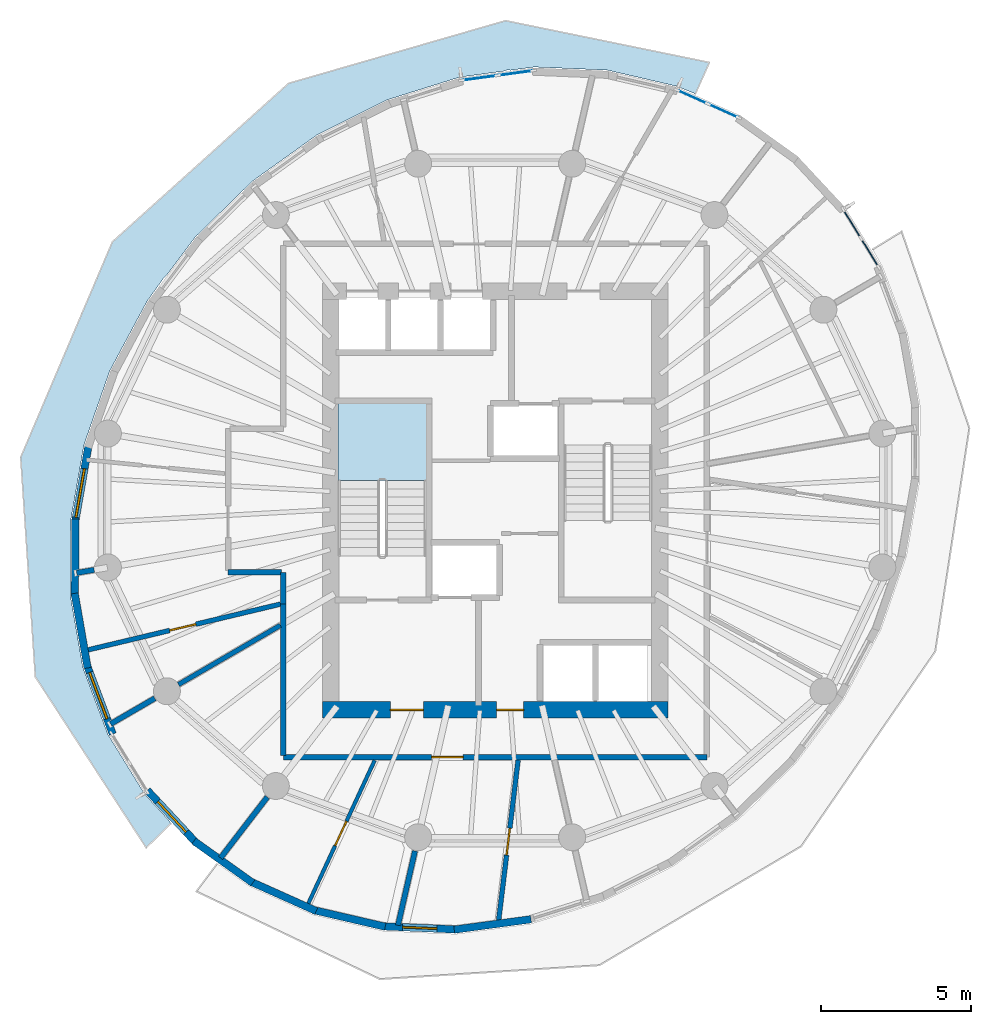
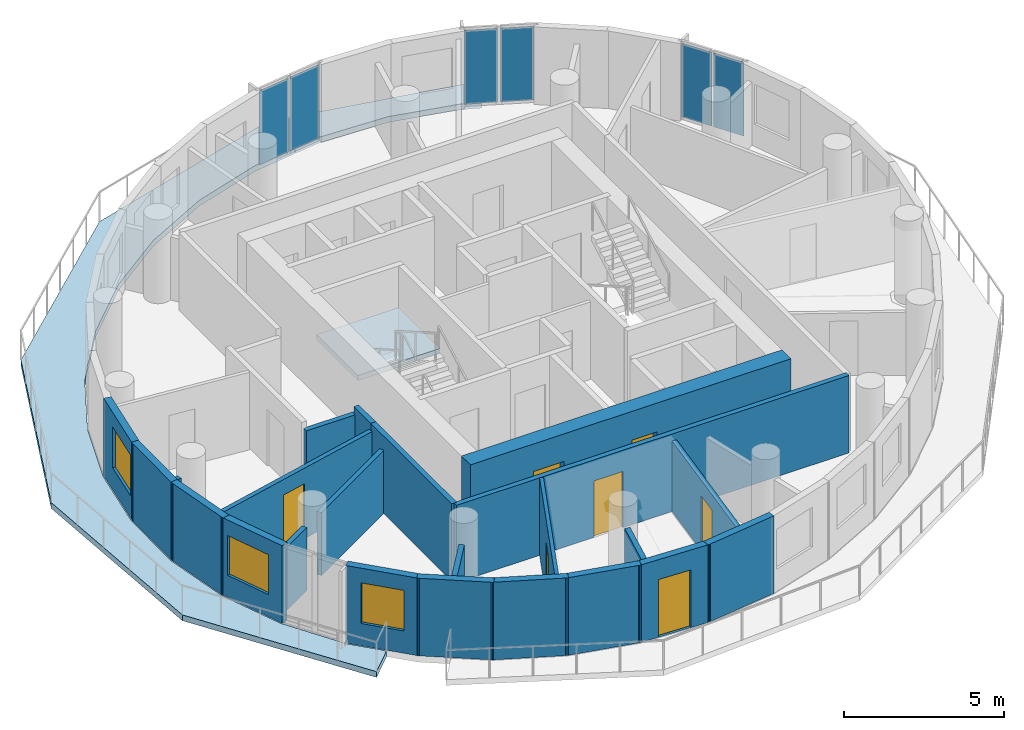
# One storey, part 4 of 10: 23 walls, 7 doors, 6 plates, 3 windows, 2 slabs, 10 openings, 4 elements without a shape of their own.
"""IFC4 building model written with IfcOpenShell, lengths in metres."""

import ifcopenshell
import ifcopenshell.guid

model = None  # the IFC model being written
_history = None  # IfcOwnerHistory: only IFC2X3 demands one
_inside = {}  # id of a spatial element -> (the spatial element, [elements in it])
_under = {}  # id of a project, library or spatial element -> (it, [spatial elements below it])
_declared = {}  # id of a project -> (the project, [libraries it declares])
_typed = {}  # id of a type object -> (the type object, [elements of that type])
_made_of = {}  # id of a material, layer set ... -> (it, [elements and type objects made of it])


def new_model(schema):
    """Start an empty IFC model of exactly this schema.

    Asked for "IFC4X3", IfcOpenShell would pick the latest addendum, in which some entities
    have other attributes; the version numbers below select the first issue.
    IFC2X3 requires an IfcOwnerHistory on every rooted entity: one is made here for all.
    """
    global model, _history
    if schema == "IFC4X3":
        model = ifcopenshell.file(schema_version=(4, 3, 0, 0))
    else:
        model = ifcopenshell.file(schema=schema)
    _inside.clear()
    _under.clear()
    _declared.clear()
    _typed.clear()
    _made_of.clear()
    _history = None
    if model.schema == "IFC2X3":
        org = make("IfcOrganization", Name="unknown")
        user = make(
            "IfcPersonAndOrganization",
            ThePerson=make("IfcPerson", FamilyName="unknown"),
            TheOrganization=org,
        )
        app = make(
            "IfcApplication",
            ApplicationDeveloper=org,
            Version="unknown",
            ApplicationFullName="unknown",
            ApplicationIdentifier="unknown",
        )
        _history = make(
            "IfcOwnerHistory",
            OwningUser=user,
            OwningApplication=app,
            ChangeAction="ADDED",
            CreationDate=0,
        )
    return model


def make(cls, **values):
    """One entity of the class cls with the attributes given. An attribute that is None is left unset."""
    return model.create_entity(
        cls, **{name: value for name, value in values.items() if value is not None}
    )


def rooted(cls, **values):
    """An entity with a GlobalId (a new one), such as an element, a storey or a relation."""
    return make(cls, GlobalId=ifcopenshell.guid.new(), OwnerHistory=_history, **values)


def si_unit(unit_type, name, prefix=None):
    """IfcSIUnit, for example si_unit("LENGTHUNIT", "METRE", prefix="MILLI")."""
    return make("IfcSIUnit", UnitType=unit_type, Prefix=prefix, Name=name)


def assignment(units):
    """IfcUnitAssignment: the units of a project."""
    return None if units is None else make("IfcUnitAssignment", Units=units)


def point(xyz):
    """IfcCartesianPoint."""
    return None if xyz is None else make("IfcCartesianPoint", Coordinates=xyz)


def direction(xyz):
    """IfcDirection."""
    return None if xyz is None else make("IfcDirection", DirectionRatios=xyz)


def frame(location, z_axis=None, x_axis=None):
    """IfcAxis2Placement3D, a coordinate frame: its origin and axes. An axis left out is left unset."""
    return make(
        "IfcAxis2Placement3D",
        Location=point(location),
        Axis=direction(z_axis),
        RefDirection=direction(x_axis),
    )


def frame_2d(location, x_axis=None):
    """IfcAxis2Placement2D, a coordinate frame in the plane: its origin and x axis."""
    return make(
        "IfcAxis2Placement2D", Location=point(location), RefDirection=direction(x_axis)
    )


def origin():
    """The frame at (0, 0, 0) with its axes left unset."""
    return frame((0.0, 0.0, 0.0))


def origin_2d():
    """The frame at (0, 0) in the plane with its x axis left unset."""
    return frame_2d((0.0, 0.0))


def place(relative_to, where):
    """IfcLocalPlacement: puts the frame where relative to a parent placement (None: the world)."""
    return make(
        "IfcLocalPlacement", PlacementRelTo=relative_to, RelativePlacement=where
    )


def context(
    kind, dimensions, precision=None, world=None, true_north=None, identifier=None
):
    """IfcGeometricRepresentationContext, for example the 3D "Model" context."""
    return make(
        "IfcGeometricRepresentationContext",
        ContextIdentifier=identifier,
        ContextType=kind,
        CoordinateSpaceDimension=dimensions,
        Precision=precision,
        WorldCoordinateSystem=world,
        TrueNorth=true_north,
    )


def subcontext(parent, identifier, kind, view, scale=None):
    """IfcGeometricRepresentationSubContext, for example "Body" below "Model"."""
    return make(
        "IfcGeometricRepresentationSubContext",
        ContextIdentifier=identifier,
        ContextType=kind,
        ParentContext=parent,
        TargetScale=scale,
        TargetView=view,
    )


def project(units=None, contexts=None):
    """IfcProject with its units and contexts."""
    return rooted(
        "IfcProject",
        Name="project",
        RepresentationContexts=contexts,
        UnitsInContext=assignment(units),
    )


def spatial(cls, under=None, at=None, **own):
    """A site, building, storey or space (cls), placed at a placement, below another one or the project."""
    s = rooted(cls, ObjectPlacement=at, **own)
    if under is not None:
        _under.setdefault(under.id(), (under, []))[1].append(s)
    return s


def polyline(points):
    """IfcPolyline through the points."""
    return make("IfcPolyline", Points=[point(p) for p in points])


def profile(cls, at=None, kind="AREA", **sizes):
    """A parametric profile (cls). Its sizes go by their IFC names, for example OverallWidth=200.0."""
    return make(cls, ProfileType=kind, Position=at, **sizes)


def rectangle(**sizes):
    """IfcRectangleProfileDef."""
    return profile("IfcRectangleProfileDef", **sizes)


def outline(outer, holes=None, kind="AREA"):
    """IfcArbitraryClosedProfileDef: a profile drawn as a closed curve; with holes, ...WithVoids."""
    if holes is None:
        return make("IfcArbitraryClosedProfileDef", ProfileType=kind, OuterCurve=outer)
    return make(
        "IfcArbitraryProfileDefWithVoids",
        ProfileType=kind,
        OuterCurve=outer,
        InnerCurves=holes,
    )


def extrude(swept, where, along, depth):
    """IfcExtrudedAreaSolid: the profile swept, set in the frame where, extruded along a direction by depth."""
    return make(
        "IfcExtrudedAreaSolid",
        SweptArea=swept,
        Position=where,
        ExtrudedDirection=direction(along),
        Depth=depth,
    )


def shape(context_of_items, identifier, shape_type, items):
    """IfcShapeRepresentation: the items that make up one representation, for example the "Body"."""
    return make(
        "IfcShapeRepresentation",
        ContextOfItems=context_of_items,
        RepresentationIdentifier=identifier,
        RepresentationType=shape_type,
        Items=items,
    )


def material(Name=None, Category=None):
    """IfcMaterial."""
    return make("IfcMaterial", Name=Name, Category=Category)


def layer(
    of_material, thickness, ventilated=None, Name=None, Category=None, Priority=None
):
    """IfcMaterialLayer: one layer of a wall or slab, of a material (None: an air gap)."""
    return make(
        "IfcMaterialLayer",
        Material=of_material,
        LayerThickness=thickness,
        IsVentilated=ventilated,
        Name=Name,
        Category=Category,
        Priority=Priority,
    )


def layer_set(layers, Name=None):
    """IfcMaterialLayerSet."""
    return make("IfcMaterialLayerSet", MaterialLayers=layers, LayerSetName=Name)


def made_of(thing, what):
    """Note that an element or type object is made of a material, layer set ...; save() writes the relation."""
    if what is not None:
        _made_of.setdefault(what.id(), (what, []))[1].append(thing)
    return thing


def type_object(cls, material=None, **own):
    """A type object (cls), such as IfcWallType, which elements share."""
    return made_of(rooted(cls, **own), material)


def element(
    cls,
    number,
    at=None,
    inside=None,
    cuts=None,
    type_object=None,
    material=None,
    context=None,
    identifier="Body",
    shape_type=None,
    held_by="IfcProductDefinitionShape",
    body=None,
    shapes=None,
    **own,
):
    """One element of the class cls, such as IfcWall. Its Tag is "e" and its number.

    at: its placement. inside: the storey or other place that contains it. cuts: it is an
    opening in that element (IfcRelVoidsElement). A single representation is given by context,
    identifier, shape_type and body (its items); several are given by shapes. held_by: the class
    of the entity that holds the representations. save() writes the other relations.
    """
    e = rooted(cls, Tag="e%d" % number, ObjectPlacement=at, **own)
    if body is not None:
        shapes = [shape(context, identifier, shape_type, body)]
    if shapes is not None:
        e.Representation = make(held_by, Representations=shapes)
    if inside is not None:
        _inside.setdefault(inside.id(), (inside, []))[1].append(e)
    if cuts is not None:
        rooted(
            "IfcRelVoidsElement", RelatingBuildingElement=cuts, RelatedOpeningElement=e
        )
    if type_object is not None:
        _typed.setdefault(type_object.id(), (type_object, []))[1].append(e)
    return made_of(e, material)


def fill(opening, filler):
    """IfcRelFillsElement: the door or window that sits in an opening."""
    return rooted(
        "IfcRelFillsElement",
        RelatingOpeningElement=opening,
        RelatedBuildingElement=filler,
    )


def aggregate(whole, parts):
    """IfcRelAggregates: a whole, such as a stair, and the parts it consists of."""
    return rooted("IfcRelAggregates", RelatingObject=whole, RelatedObjects=parts)


def save(model, path):
    """Write the relations noted so far, then the file.

    IfcRelAggregates (storeys below a building ...), IfcRelContainedInSpatialStructure (elements
    in a storey), IfcRelDefinesByType, IfcRelAssociatesMaterial and IfcRelDeclares: one each for
    every whole, place, type object, material and project.
    """
    for whole, parts in _under.values():
        aggregate(whole, parts)
    for where, things in _inside.values():
        rooted(
            "IfcRelContainedInSpatialStructure",
            RelatedElements=things,
            RelatingStructure=where,
        )
    for kind, things in _typed.values():
        rooted("IfcRelDefinesByType", RelatedObjects=things, RelatingType=kind)
    for what, things in _made_of.values():
        rooted("IfcRelAssociatesMaterial", RelatedObjects=things, RelatingMaterial=what)
    for by, libraries in _declared.values():
        rooted("IfcRelDeclares", RelatingContext=by, RelatedDefinitions=libraries)
    model.write(path)


model = new_model("IFC4")

# Units and contexts
model_context = context("Model", 3, precision=1e-05, world=origin(), true_north=direction((0.0, 1.0)))
body_context = subcontext(model_context, "Body", "Model", "MODEL_VIEW")
ifc_project = project(units=[si_unit("LENGTHUNIT", "METRE"), si_unit("AREAUNIT", "SQUARE_METRE"), si_unit("VOLUMEUNIT", "CUBIC_METRE"), si_unit("PLANEANGLEUNIT", "RADIAN"), si_unit("MASSUNIT", "GRAM", prefix="KILO")], contexts=[model_context])

# Site, building, storey
site_placement = place(None, origin())
site = spatial("IfcSite", under=ifc_project, at=site_placement, CompositionType="ELEMENT")
building_placement = place(site_placement, origin())
building = spatial("IfcBuilding", under=site, at=building_placement, Name="Veldorim Arch Residences", CompositionType="ELEMENT")
storey_placement = place(building_placement, frame((0.0, 0.0, 201.43994140625)))
storey = spatial("IfcBuildingStorey", under=building, at=storey_placement, Name="L60", CompositionType="ELEMENT", Elevation=201.43994140625)

# Slab
ifc_material_1 = material(Name="Concrete C40/50", Category="concrete")
ifc_layer_1 = layer(ifc_material_1, 0.219970703125, Name="Planted Crescent Cantilever Balcony Slab 220")
ifc_layer_set_1 = layer_set([ifc_layer_1], Name="Concrete C40/50")
slab_type_1 = type_object("IfcSlabType", Name="Planted Crescent Cantilever Balcony Slab 220", PredefinedType="FLOOR", material=ifc_layer_set_1)
slab_1_placement = place(storey_placement, frame((0.0, 0.0, -0.219970703125)))
element("IfcSlab", 1, at=slab_1_placement, inside=storey, type_object=slab_type_1, Name="L60 planted crescent balcony slab A", PredefinedType="FLOOR", context=body_context, shape_type="SweptSolid", body=[
    extrude(outline(polyline([(38.6943359375, 37.596923828125), (38.08203125, 37.847900390625), (35.75146484375, 38.38916015625), (33.30712890625, 38.4931640625), (32.510986328125, 38.38525390625), (32.41552734375, 38.3974609375), (32.296142578125, 38.356201171875), (30.8232421875, 38.156494140625), (28.37548828125, 37.39013671875), (26.03759765625, 36.216796875), (23.881103515625, 34.672607421875), (21.97119140625, 32.80419921875), (21.01513671875, 31.5322265625), (20.925537109375, 31.44921875), (20.365966796875, 30.66845703125), (19.114013671875, 28.330078125), (18.25341796875, 25.860107421875), (17.810302734375, 23.33349609375), (17.798095703125, 20.8271484375), (18.2177734375, 18.416748046875), (19.05615234375, 16.176025390625), (20.2880859375, 14.1728515625), (21.091552734375, 13.310546875), (21.154541015625, 13.1953125), (20.331787109375, 12.391845703125), (16.625, 18.103515625), (16.1357421875, 25.444091796875), (19.202880859375, 32.650146484375), (25.09033203125, 37.9462890625), (32.3486328125, 40.043701171875), (39.163330078125, 38.64697265625), (38.6943359375, 37.596923828125)])), origin(), (0.0, 0.0, 1.0), 0.219970703125),
])

# Stair, slab
ifc_material_2 = material(Name="Concrete C40/50", Category="concrete")
stair_type = type_object("IfcStairType", Name="Reinforced Concrete Dogleg Exit Staircase", PredefinedType="HALF_TURN_STAIR", material=ifc_material_2)
stair_placement = place(storey_placement, origin())
stair = element("IfcStair", 2, at=stair_placement, inside=storey, type_object=stair_type, Name="L60 Exit Staircase ST-1", PredefinedType="HALF_TURN_STAIR")
ifc_material_3 = material(Name="Concrete C40/50", Category="concrete")
ifc_layer_2 = layer(ifc_material_3, 0.199951171875, Name="Reinforced Concrete Stair Landing 200")
ifc_layer_set_2 = layer_set([ifc_layer_2], Name="Concrete C40/50")
slab_type_2 = type_object("IfcSlabType", Name="Reinforced Concrete Stair Landing 200", PredefinedType="LANDING", material=ifc_layer_set_2)
slab_2_placement = place(storey_placement, frame((0.0, 0.0, 1.400146484375)))
slab_2 = element("IfcSlab", 3, at=slab_2_placement, type_object=slab_type_2, Name="ST-1 landing 1", PredefinedType="LANDING", context=body_context, shape_type="SweptSolid", body=[
    extrude(outline(polyline([(29.7099609375, 24.669921875), (29.7099609375, 27.25), (26.75, 27.25), (26.75, 24.669921875), (29.7099609375, 24.669921875)])), origin(), (0.0, 0.0, 1.0), 0.199951171875),
])
aggregate(stair, [slab_2])

# Curtain wall, plates
ifc_material_4 = material(Name="Aluminium", Category="aluminium")
curtain_wall_type = type_object("IfcCurtainWallType", Name="Zone 4 High-Altitude Unitised Curtain Wall", PredefinedType="NOTDEFINED", material=ifc_material_4)
curtain_wall_1_placement = place(storey_placement, origin())
curtain_wall_1 = element("IfcCurtainWall", 4, at=curtain_wall_1_placement, inside=storey, type_object=curtain_wall_type, Name="L60 unitised curtain wall bay 02", PredefinedType="NOTDEFINED")
ifc_material_5 = material(Name="Laminated Low-E Glass", Category="glass")
ifc_layer_3 = layer(ifc_material_5, 0.030029296875, Name="Zone 4 High-Altitude Unitised Curtain Wall Glazing Panel 30")
ifc_layer_set_3 = layer_set([ifc_layer_3], Name="Laminated Low-E Glass")
plate_type = type_object("IfcPlateType", Name="Zone 4 High-Altitude Unitised Curtain Wall Glazing Panel 30", PredefinedType="CURTAIN_PANEL", material=ifc_layer_set_3)
plate_1_placement = place(storey_placement, frame((38.58984375, 37.494384765625, 0.074951171875), z_axis=(0.0, 0.0, 1.0), x_axis=(0.912467637133, -0.409148886329, 0.0)))
plate_1 = element("IfcPlate", 5, at=plate_1_placement, type_object=plate_type, Name="CW-Z4 panel 1.1", PredefinedType="CURTAIN_PANEL", context=body_context, shape_type="SweptSolid", body=[
    extrude(rectangle(XDim=1.060791015625, YDim=0.030029296875, at=origin_2d()), origin(), (0.0, 0.0, 1.0), 2.81005859375),
])
plate_2_placement = place(storey_placement, frame((39.626220703125, 37.029541015625, 0.074951171875), z_axis=(0.0, 0.0, 1.0), x_axis=(0.912467637133, -0.409148886329, 0.0)))
plate_2 = element("IfcPlate", 6, at=plate_2_placement, type_object=plate_type, Name="CW-Z4 panel 2.1", PredefinedType="CURTAIN_PANEL", context=body_context, shape_type="SweptSolid", body=[
    extrude(rectangle(XDim=1.060791015625, YDim=0.030029296875, at=origin_2d()), origin(), (0.0, 0.0, 1.0), 2.81005859375),
])
aggregate(curtain_wall_1, [plate_1, plate_2])

curtain_wall_2_placement = place(storey_placement, origin())
curtain_wall_2 = element("IfcCurtainWall", 7, at=curtain_wall_2_placement, inside=storey, type_object=curtain_wall_type, Name="L60 unitised curtain wall bay 05", PredefinedType="NOTDEFINED")
plate_3_placement = place(storey_placement, frame((31.479248046875, 38.12939453125, 0.074951171875), z_axis=(0.0, 0.0, 1.0), x_axis=(0.990948225119, 0.134244609331, 0.0)))
plate_3 = element("IfcPlate", 8, at=plate_3_placement, type_object=plate_type, Name="CW-Z4 panel 1.1", PredefinedType="CURTAIN_PANEL", context=body_context, shape_type="SweptSolid", body=[
    extrude(rectangle(XDim=1.138671875, YDim=0.030029296875, at=origin_2d()), origin(), (0.0, 0.0, 1.0), 2.81005859375),
])
plate_4_placement = place(storey_placement, frame((32.681884765625, 38.292236328125, 0.074951171875), z_axis=(0.0, 0.0, 1.0), x_axis=(0.990948225119, 0.134244609331, 0.0)))
plate_4 = element("IfcPlate", 9, at=plate_4_placement, type_object=plate_type, Name="CW-Z4 panel 2.1", PredefinedType="CURTAIN_PANEL", context=body_context, shape_type="SweptSolid", body=[
    extrude(rectangle(XDim=1.138671875, YDim=0.030029296875, at=origin_2d()), origin(), (0.0, 0.0, 1.0), 2.81005859375),
])
aggregate(curtain_wall_2, [plate_3, plate_4])

curtain_wall_3_placement = place(storey_placement, origin())
curtain_wall_3 = element("IfcCurtainWall", 10, at=curtain_wall_3_placement, inside=storey, type_object=curtain_wall_type, Name="L60 unitised curtain wall bay 35", PredefinedType="NOTDEFINED")
plate_5_placement = place(storey_placement, frame((43.932373046875, 33.249267578125, 0.074951171875), z_axis=(0.0, 0.0, 1.0), x_axis=(0.523864415023, -0.851801663929, 0.0)))
plate_5 = element("IfcPlate", 11, at=plate_5_placement, type_object=plate_type, Name="CW-Z4 panel 1.1", PredefinedType="CURTAIN_PANEL", context=body_context, shape_type="SweptSolid", body=[
    extrude(rectangle(XDim=1.060791015625, YDim=0.030029296875, at=origin_2d()), origin(), (0.0, 0.0, 1.0), 2.81005859375),
])
plate_6_placement = place(storey_placement, frame((44.52734375, 32.28173828125, 0.074951171875), z_axis=(0.0, 0.0, 1.0), x_axis=(0.523864415023, -0.851801663929, 0.0)))
plate_6 = element("IfcPlate", 12, at=plate_6_placement, type_object=plate_type, Name="CW-Z4 panel 2.1", PredefinedType="CURTAIN_PANEL", context=body_context, shape_type="SweptSolid", body=[
    extrude(rectangle(XDim=1.060791015625, YDim=0.030029296875, at=origin_2d()), origin(), (0.0, 0.0, 1.0), 2.81005859375),
])
aggregate(curtain_wall_3, [plate_5, plate_6])

# Wall, opening, door
ifc_material_6 = material(Name="Acoustic Gypsum Board", Category="gypsum")
ifc_layer_4 = layer(ifc_material_6, 0.125, Name="Acoustic Stud Room Partition Wall 125")
ifc_layer_set_4 = layer_set([ifc_layer_4], Name="Acoustic Gypsum Board")
wall_type_1 = type_object("IfcWallType", Name="Acoustic Stud Room Partition Wall 125", PredefinedType="PARTITIONING", material=ifc_layer_set_4)
wall_1_placement = place(storey_placement, frame((25.70751953125, 10.427001953125, 0.0), z_axis=(0.0, 0.0, 1.0), x_axis=(0.420587579127, 0.907251943114, 0.0)))
wall_1 = element("IfcWall", 13, at=wall_1_placement, inside=storey, type_object=wall_type_1, Name="L60 interior wall WL-RES-L60-012", PredefinedType="PARTITIONING", context=body_context, shape_type="SweptSolid", body=[
    extrude(rectangle(XDim=5.38330078125, YDim=0.125, at=frame_2d((2.691650390625, 0.0))), origin(), (0.0, 0.0, 1.0), 2.955078125),
])
opening_1_placement = place(wall_1_placement, frame((2.24169921875, 0.0, 0.0)))
opening_1 = element("IfcOpeningElement", 14, at=opening_1_placement, cuts=wall_1, Name="Opening DR-INT", PredefinedType="OPENING", context=body_context, shape_type="SweptSolid", body=[
    extrude(rectangle(XDim=0.89990234375, YDim=2.10009765625, at=frame_2d((0.449951171875, 1.050048828125))), frame((0.0, 0.072509765625, 0.0), z_axis=(0.0, -1.0, 0.0), x_axis=(1.0, 0.0, 0.0)), (0.0, 0.0, 1.0), 0.14501953125),
])
ifc_material_7 = material(Name="Engineered Timber", Category="wood")
door_type_1 = type_object("IfcDoorType", Name="Apartment Internal Room Timber Door 900x2100", OperationType="SINGLE_SWING_LEFT", PredefinedType="DOOR", material=ifc_material_7)
door_1_placement = place(opening_1_placement, origin())
door_1 = element("IfcDoor", 15, at=door_1_placement, inside=storey, type_object=door_type_1, Name="L60 interior door DR-RES-L60-003", OperationType="SINGLE_SWING_LEFT", OverallHeight=2.10009765625, OverallWidth=0.89990234375, PredefinedType="DOOR", context=body_context, shape_type="SweptSolid", body=[
    extrude(rectangle(XDim=0.89990234375, YDim=2.10009765625, at=frame_2d((0.449951171875, 1.050048828125))), frame((0.0, 0.02490234375, 0.0), z_axis=(0.0, -1.0, 0.0), x_axis=(1.0, 0.0, 0.0)), (0.0, 0.0, 1.0), 0.050048828125),
])
fill(opening_1, door_1)

# Walls
ifc_material_8 = material(Name="Lightweight Masonry Block & Gypsum", Category="masonry")
ifc_layer_5 = layer(ifc_material_8, 0.179931640625, Name="Compartment & Corridor Fire-Rated Party Wall 180")
ifc_layer_set_5 = layer_set([ifc_layer_5], Name="Lightweight Masonry Block & Gypsum")
wall_type_2 = type_object("IfcWallType", Name="Compartment & Corridor Fire-Rated Party Wall 180", PredefinedType="PARTITIONING", material=ifc_layer_set_5)
wall_2_placement = place(storey_placement, frame((18.590576171875, 21.680419921875, 0.0), z_axis=(0.0, 0.0, 1.0), x_axis=(-0.985338517658, -0.170610684362, 0.0)))
element("IfcWall", 16, at=wall_2_placement, inside=storey, type_object=wall_type_2, Name="L60 interior wall WL-PIER-L60-09", PredefinedType="PARTITIONING", context=body_context, shape_type="SweptSolid", body=[
    extrude(rectangle(XDim=0.592529296875, YDim=0.179931640625, at=frame_2d((0.29638671875, 0.0))), origin(), (0.0, 0.0, 1.0), 2.403564453125),
])
wall_3_placement = place(storey_placement, frame((20.6181640625, 17.385986328125, 0.0), z_axis=(0.0, 0.0, 1.0), x_axis=(-0.864618511529, -0.502428929821, 0.0)))
element("IfcWall", 17, at=wall_3_placement, inside=storey, type_object=wall_type_2, Name="L60 interior wall WL-PIER-L60-10", PredefinedType="PARTITIONING", context=body_context, shape_type="SweptSolid", body=[
    extrude(rectangle(XDim=1.7060546875, YDim=0.179931640625, at=frame_2d((0.85302734375, 0.0))), origin(), (0.0, 0.0, 1.0), 2.403564453125),
])
wall_4_placement = place(storey_placement, frame((24.380126953125, 14.08203125, 0.0), z_axis=(0.0, 0.0, 1.0), x_axis=(-0.60921849036, -0.79300241551, 0.0)))
element("IfcWall", 18, at=wall_4_placement, inside=storey, type_object=wall_type_2, Name="L60 interior wall WL-PIER-L60-11", PredefinedType="PARTITIONING", context=body_context, shape_type="SweptSolid", body=[
    extrude(rectangle(XDim=2.565185546875, YDim=0.179931640625, at=frame_2d((1.28271484375, 0.0))), origin(), (0.0, 0.0, 1.0), 2.403564453125),
])
wall_5_placement = place(storey_placement, frame((29.320068359375, 12.282470703125, 0.0), z_axis=(0.0, 0.0, 1.0), x_axis=(-0.22299363946, -0.974819899654, 0.0)))
element("IfcWall", 19, at=wall_5_placement, inside=storey, type_object=wall_type_2, Name="L60 interior wall WL-PIER-L60-12", PredefinedType="PARTITIONING", context=body_context, shape_type="SweptSolid", body=[
    extrude(rectangle(XDim=2.552001953125, YDim=0.179931640625, at=frame_2d((1.27587890625, 0.0))), origin(), (0.0, 0.0, 1.0), 2.403564453125),
])

# Wall, opening, door
wall_6_placement = place(storey_placement, frame((39.080078125, 15.419921875, 0.0), z_axis=(0.0, 0.0, 1.0), x_axis=(-1.0, 0.0, 0.0)))
wall_6 = element("IfcWall", 20, at=wall_6_placement, inside=storey, type_object=wall_type_2, Name="L60 interior wall WL-RES-L60-001", PredefinedType="PARTITIONING", context=body_context, shape_type="SweptSolid", body=[
    extrude(rectangle(XDim=14.16015625, YDim=0.179931640625, at=frame_2d((7.080078125, 0.0))), origin(), (0.0, 0.0, 1.0), 2.955078125),
])
opening_2_placement = place(wall_6_placement, frame((8.155029296875, 0.0, 0.0)))
opening_2 = element("IfcOpeningElement", 21, at=opening_2_placement, cuts=wall_6, Name="Opening DR-FLT", PredefinedType="OPENING", context=body_context, shape_type="SweptSolid", body=[
    extrude(rectangle(XDim=1.050048828125, YDim=2.14990234375, at=frame_2d((0.52490234375, 1.074951171875))), frame((0.0, 0.099853515625, 0.0), z_axis=(0.0, -1.0, 0.0), x_axis=(1.0, 0.0, 0.0)), (0.0, 0.0, 1.0), 0.199951171875),
])
ifc_material_9 = material(Name="Fire-Rated Timber", Category="wood")
door_type_2 = type_object("IfcDoorType", Name="Apartment Entrance Solid-Core Fire Door 1050x2150", OperationType="SINGLE_SWING_LEFT", PredefinedType="DOOR", material=ifc_material_9)
door_2_placement = place(opening_2_placement, origin())
door_2 = element("IfcDoor", 22, at=door_2_placement, inside=storey, type_object=door_type_2, Name="L60 interior door DR-RES-L60-001", OperationType="SINGLE_SWING_LEFT", OverallHeight=2.14990234375, OverallWidth=1.050048828125, PredefinedType="DOOR", context=body_context, shape_type="SweptSolid", body=[
    extrude(rectangle(XDim=1.050048828125, YDim=2.14990234375, at=frame_2d((0.52490234375, 1.074951171875))), frame((0.0, 0.02490234375, 0.0), z_axis=(0.0, -1.0, 0.0), x_axis=(1.0, 0.0, 0.0)), (0.0, 0.0, 1.0), 0.050048828125),
])
fill(opening_2, door_2)

# Walls
wall_7_placement = place(storey_placement, frame((24.919921875, 15.47998046875, 0.0), z_axis=(0.0, 0.0, 1.0), x_axis=(0.0, 1.0, 0.0)))
element("IfcWall", 23, at=wall_7_placement, inside=storey, type_object=wall_type_2, Name="L60 interior wall WL-RES-L60-002", PredefinedType="PARTITIONING", context=body_context, shape_type="SweptSolid", body=[
    extrude(rectangle(XDim=5.099609375, YDim=0.179931640625, at=frame_2d((2.5498046875, 0.0))), origin(), (0.0, 0.0, 1.0), 2.955078125),
])
wall_8_placement = place(storey_placement, frame((24.919921875, 20.5390625, 0.0), z_axis=(0.0, 0.0, 1.0), x_axis=(0.0, 1.0, 0.0)))
element("IfcWall", 24, at=wall_8_placement, inside=storey, type_object=wall_type_2, Name="L60 interior wall WL-RES-L60-006", PredefinedType="PARTITIONING", context=body_context, shape_type="SweptSolid", body=[
    extrude(rectangle(XDim=1.06103515625, YDim=0.179931640625, at=frame_2d((0.530517578125, 0.0))), origin(), (0.0, 0.0, 1.0), 2.955078125),
])
wall_9_placement = place(storey_placement, frame((24.860107421875, 21.60009765625, 0.0), z_axis=(0.0, 0.0, 1.0), x_axis=(-1.0, 0.0, 0.0)))
element("IfcWall", 25, at=wall_9_placement, inside=storey, type_object=wall_type_2, Name="L60 interior wall WL-RES-L60-007", PredefinedType="PARTITIONING", context=body_context, shape_type="SweptSolid", body=[
    extrude(rectangle(XDim=1.7900390625, YDim=0.179931640625, at=frame_2d((0.89501953125, 0.0))), origin(), (0.0, 0.0, 1.0), 2.692138671875),
])

# Wall, opening, window
ifc_material_10 = material(Name="Precast concrete C40/50", Category="concrete")
ifc_layer_6 = layer(ifc_material_10, 0.25, Name="Tower Terracotta Spandrel & Pier Wall 250")
ifc_layer_set_6 = layer_set([ifc_layer_6], Name="Precast concrete C40/50")
wall_type_3 = type_object("IfcWallType", Name="Tower Terracotta Spandrel & Pier Wall 250", PredefinedType="SOLIDWALL", material=ifc_layer_set_6)
wall_10_placement = place(storey_placement, frame((17.950439453125, 23.265380859375, 0.0), z_axis=(0.0, 0.0, 1.0), x_axis=(0.172755592744, 0.984964722808, 0.0)))
wall_10 = element("IfcWall", 26, at=wall_10_placement, inside=storey, type_object=wall_type_3, Name="L60 terracotta facade wall 13", PredefinedType="SOLIDWALL", context=body_context, shape_type="SweptSolid", body=[
    extrude(rectangle(XDim=2.651123046875, YDim=0.25, at=frame_2d((1.32568359375, 0.0))), origin(), (0.0, 0.0, 1.0), 2.9599609375),
])
opening_3_placement = place(wall_10_placement, frame((0.175048828125, 0.0, 0.85009765625)))
opening_3 = element("IfcOpeningElement", 27, at=opening_3_placement, cuts=wall_10, Name="Opening WN-03", PredefinedType="OPENING", context=body_context, shape_type="SweptSolid", body=[
    extrude(rectangle(XDim=1.64990234375, YDim=1.550048828125, at=frame_2d((0.824951171875, 0.77490234375))), frame((0.0, 0.135009765625, 0.0), z_axis=(0.0, -1.0, 0.0), x_axis=(1.0, 0.0, 0.0)), (0.0, 0.0, 1.0), 0.27001953125),
])
ifc_material_11 = material(Name="Laminated Low-E Glass", Category="glass")
window_type_1 = type_object("IfcWindowType", Name="Residential Wide Window 1650x1550", PartitioningType="SINGLE_PANEL", PredefinedType="WINDOW", material=ifc_material_11)
window_1_placement = place(opening_3_placement, origin())
window_1 = element("IfcWindow", 28, at=window_1_placement, inside=storey, type_object=window_type_1, Name="L60 solar-control facade window 13", OverallHeight=1.550048828125, OverallWidth=1.64990234375, PartitioningType="SINGLE_PANEL", PredefinedType="WINDOW", context=body_context, shape_type="SweptSolid", body=[
    extrude(rectangle(XDim=1.64990234375, YDim=1.550048828125, at=frame_2d((0.824951171875, 0.77490234375))), frame((0.0, 0.030029296875, 0.0), z_axis=(0.0, -1.0, 0.0), x_axis=(1.0, 0.0, 0.0)), (0.0, 0.0, 1.0), 0.06005859375),
])
fill(opening_3, window_1)

# Walls
wall_11_placement = place(storey_placement, frame((17.947998046875, 20.78369140625, 0.0), z_axis=(0.0, 0.0, 1.0), x_axis=(0.004803561421, 0.999988462832, 0.0)))
element("IfcWall", 29, at=wall_11_placement, inside=storey, type_object=wall_type_3, Name="L60 terracotta facade wall 14", PredefinedType="SOLIDWALL", context=body_context, shape_type="SweptSolid", body=[
    extrude(rectangle(XDim=2.592041015625, YDim=0.25, at=frame_2d((1.2958984375, 0.0))), origin(), (0.0, 0.0, 1.0), 2.9599609375),
])
wall_12_placement = place(storey_placement, frame((18.372802734375, 18.400390625, 0.0), z_axis=(0.0, 0.0, 1.0), x_axis=(-0.17143069214, 0.985196182388, 0.0)))
element("IfcWall", 30, at=wall_12_placement, inside=storey, type_object=wall_type_3, Name="L60 terracotta facade wall 15", PredefinedType="SOLIDWALL", context=body_context, shape_type="SweptSolid", body=[
    extrude(rectangle(XDim=2.5322265625, YDim=0.25, at=frame_2d((1.26611328125, 0.0))), origin(), (0.0, 0.0, 1.0), 2.9599609375),
])

# Wall, opening, window
wall_13_placement = place(storey_placement, frame((19.21142578125, 16.188720703125, 0.0), z_axis=(0.0, 0.0, 1.0), x_axis=(-0.350367491805, 0.93661231077, 0.0)))
wall_13 = element("IfcWall", 31, at=wall_13_placement, inside=storey, type_object=wall_type_3, Name="L60 terracotta facade wall 16", PredefinedType="SOLIDWALL", context=body_context, shape_type="SweptSolid", body=[
    extrude(rectangle(XDim=2.477783203125, YDim=0.25, at=frame_2d((1.23876953125, 0.0))), origin(), (0.0, 0.0, 1.0), 2.9599609375),
])
opening_4_placement = place(wall_13_placement, frame((0.550048828125, 0.0, 0.85009765625)))
opening_4 = element("IfcOpeningElement", 32, at=opening_4_placement, cuts=wall_13, Name="Opening WN-03", PredefinedType="OPENING", context=body_context, shape_type="SweptSolid", body=[
    extrude(rectangle(XDim=1.64990234375, YDim=1.52001953125, at=frame_2d((0.824951171875, 0.760009765625))), frame((0.0, 0.135009765625, 0.0), z_axis=(0.0, -1.0, 0.0), x_axis=(1.0, 0.0, 0.0)), (0.0, 0.0, 1.0), 0.27001953125),
])
window_2_placement = place(opening_4_placement, origin())
window_2 = element("IfcWindow", 33, at=window_2_placement, inside=storey, type_object=window_type_1, Name="L60 solar-control facade window 16", OverallHeight=1.52001953125, OverallWidth=1.64990234375, PartitioningType="SINGLE_PANEL", PredefinedType="WINDOW", context=body_context, shape_type="SweptSolid", body=[
    extrude(rectangle(XDim=1.64990234375, YDim=1.52001953125, at=frame_2d((0.824951171875, 0.760009765625))), frame((0.0, 0.030029296875, 0.0), z_axis=(0.0, -1.0, 0.0), x_axis=(1.0, 0.0, 0.0)), (0.0, 0.0, 1.0), 0.06005859375),
])
fill(opening_4, window_2)

wall_14_placement = place(storey_placement, frame((22.014892578125, 12.539306640625, 0.0), z_axis=(0.0, 0.0, 1.0), x_axis=(-0.681640731319, 0.731687032417, 0.0)))
wall_14 = element("IfcWall", 34, at=wall_14_placement, inside=storey, type_object=wall_type_3, Name="L60 terracotta facade wall 18", PredefinedType="SOLIDWALL", context=body_context, shape_type="SweptSolid", body=[
    extrude(rectangle(XDim=2.414794921875, YDim=0.25, at=frame_2d((1.20751953125, 0.0))), origin(), (0.0, 0.0, 1.0), 2.9599609375),
])
opening_5_placement = place(wall_14_placement, frame((0.507080078125, 0.0, 0.85009765625)))
opening_5 = element("IfcOpeningElement", 35, at=opening_5_placement, cuts=wall_14, Name="Opening WN-02", PredefinedType="OPENING", context=body_context, shape_type="SweptSolid", body=[
    extrude(rectangle(XDim=1.39990234375, YDim=1.550048828125, at=frame_2d((0.699951171875, 0.77490234375))), frame((0.0, 0.135009765625, 0.0), z_axis=(0.0, -1.0, 0.0), x_axis=(1.0, 0.0, 0.0)), (0.0, 0.0, 1.0), 0.27001953125),
])
ifc_material_12 = material(Name="Laminated Low-E Glass", Category="glass")
window_type_2 = type_object("IfcWindowType", Name="Residential Casement Window 1400x1550", PartitioningType="SINGLE_PANEL", PredefinedType="WINDOW", material=ifc_material_12)
window_3_placement = place(opening_5_placement, origin())
window_3 = element("IfcWindow", 36, at=window_3_placement, inside=storey, type_object=window_type_2, Name="L60 solar-control facade window 18", OverallHeight=1.550048828125, OverallWidth=1.39990234375, PartitioningType="SINGLE_PANEL", PredefinedType="WINDOW", context=body_context, shape_type="SweptSolid", body=[
    extrude(rectangle(XDim=1.39990234375, YDim=1.550048828125, at=frame_2d((0.699951171875, 0.77490234375))), frame((0.0, 0.030029296875, 0.0), z_axis=(0.0, -1.0, 0.0), x_axis=(1.0, 0.0, 0.0)), (0.0, 0.0, 1.0), 0.06005859375),
])
fill(opening_5, window_3)

# Walls
wall_15_placement = place(storey_placement, frame((23.893798828125, 11.211669921875, 0.0), z_axis=(0.0, 0.0, 1.0), x_axis=(-0.813794949485, 0.581152114504, 0.0)))
element("IfcWall", 37, at=wall_15_placement, inside=storey, type_object=wall_type_3, Name="L60 terracotta facade wall 19", PredefinedType="SOLIDWALL", context=body_context, shape_type="SweptSolid", body=[
    extrude(rectangle(XDim=2.414794921875, YDim=0.25, at=frame_2d((1.20751953125, 0.0))), origin(), (0.0, 0.0, 1.0), 2.9599609375),
])
wall_16_placement = place(storey_placement, frame((26.01806640625, 10.271484375, 0.0), z_axis=(0.0, 0.0, 1.0), x_axis=(-0.912451283158, 0.409185356365, 0.0)))
element("IfcWall", 38, at=wall_16_placement, inside=storey, type_object=wall_type_3, Name="L60 terracotta facade wall 20", PredefinedType="SOLIDWALL", context=body_context, shape_type="SweptSolid", body=[
    extrude(rectangle(XDim=2.436767578125, YDim=0.25, at=frame_2d((1.21826171875, 0.0))), origin(), (0.0, 0.0, 1.0), 2.9599609375),
])
wall_17_placement = place(storey_placement, frame((28.323974609375, 9.747314453125, 0.0), z_axis=(0.0, 0.0, 1.0), x_axis=(-0.974096425092, 0.226133046286, 0.0)))
element("IfcWall", 39, at=wall_17_placement, inside=storey, type_object=wall_type_3, Name="L60 terracotta facade wall 21", PredefinedType="SOLIDWALL", context=body_context, shape_type="SweptSolid", body=[
    extrude(rectangle(XDim=2.477783203125, YDim=0.25, at=frame_2d((1.23876953125, 0.0))), origin(), (0.0, 0.0, 1.0), 2.9599609375),
])

# Wall, opening, door
wall_18_placement = place(storey_placement, frame((30.741943359375, 9.655029296875, 0.0), z_axis=(0.0, 0.0, 1.0), x_axis=(-0.999099670747, 0.042424614469, 0.0)))
wall_18 = element("IfcWall", 40, at=wall_18_placement, inside=storey, type_object=wall_type_3, Name="L60 terracotta facade wall 22", PredefinedType="SOLIDWALL", context=body_context, shape_type="SweptSolid", body=[
    extrude(rectangle(XDim=2.531982421875, YDim=0.25, at=frame_2d((1.26611328125, 0.0))), origin(), (0.0, 0.0, 1.0), 2.9599609375),
])
opening_6_placement = place(wall_18_placement, frame((0.69091796875, 0.0, 0.0)))
opening_6 = element("IfcOpeningElement", 41, at=opening_6_placement, cuts=wall_18, Name="Opening BL-DR", PredefinedType="OPENING", context=body_context, shape_type="SweptSolid", body=[
    extrude(rectangle(XDim=1.14990234375, YDim=2.199951171875, at=frame_2d((0.574951171875, 1.10009765625))), frame((0.0, 0.135009765625, 0.0), z_axis=(0.0, -1.0, 0.0), x_axis=(1.0, 0.0, 0.0)), (0.0, 0.0, 1.0), 0.27001953125),
])
ifc_material_13 = material(Name="Aluminium & Low-E Glass", Category="aluminium")
door_type_3 = type_object("IfcDoorType", Name="Glazed Planted Balcony Door 1150x2200", OperationType="SINGLE_SWING_LEFT", PredefinedType="DOOR", material=ifc_material_13)
door_3_placement = place(opening_6_placement, origin())
door_3 = element("IfcDoor", 42, at=door_3_placement, inside=storey, type_object=door_type_3, Name="L60 glazed outdoor terrace door BALC-2", OperationType="SINGLE_SWING_RIGHT", OverallHeight=2.199951171875, OverallWidth=1.14990234375, PredefinedType="DOOR", context=body_context, shape_type="SweptSolid", body=[
    extrude(rectangle(XDim=1.14990234375, YDim=2.199951171875, at=frame_2d((0.574951171875, 1.10009765625))), frame((0.0, 0.02490234375, 0.0), z_axis=(0.0, -1.0, 0.0), x_axis=(1.0, 0.0, 0.0)), (0.0, 0.0, 1.0), 0.050048828125),
])
fill(opening_6, door_3)

# Wall
wall_19_placement = place(storey_placement, frame((33.198974609375, 9.997802734375, 0.0), z_axis=(0.0, 0.0, 1.0), x_axis=(-0.990951844978, -0.134217886046, 0.0)))
element("IfcWall", 43, at=wall_19_placement, inside=storey, type_object=wall_type_3, Name="L60 terracotta facade wall 23", PredefinedType="SOLIDWALL", context=body_context, shape_type="SweptSolid", body=[
    extrude(rectangle(XDim=2.592041015625, YDim=0.25, at=frame_2d((1.2958984375, 0.0))), origin(), (0.0, 0.0, 1.0), 2.9599609375),
])

# Wall, openings, doors
ifc_material_14 = material(Name="Concrete C50/60", Category="concrete")
ifc_layer_7 = layer(ifc_material_14, 0.5, Name="Upper Central Core Shear Wall 560")
ifc_layer_set_7 = layer_set([ifc_layer_7], Name="Concrete C50/60")
wall_type_4 = type_object("IfcWallType", Name="Upper Central Core Shear Wall 560", PredefinedType="SHEAR", material=ifc_layer_set_7)
wall_20_placement = place(storey_placement, frame((26.219970703125, 17.0, 0.0), z_axis=(0.0, 0.0, 1.0), x_axis=(1.0, 0.0, 0.0)))
wall_20 = element("IfcWall", 44, at=wall_20_placement, inside=storey, type_object=wall_type_4, Name="L60 central core south shear wall", PredefinedType="SHEAR", context=body_context, shape_type="SweptSolid", body=[
    extrude(rectangle(XDim=11.56005859375, YDim=0.56005859375, at=frame_2d((5.780029296875, 0.0))), origin(), (0.0, 0.0, 1.0), 3.199951171875),
])
opening_7_placement = place(wall_20_placement, frame((2.280029296875, 0.0, 0.0)))
opening_7 = element("IfcOpeningElement", 45, at=opening_7_placement, cuts=wall_20, Name="Opening DR-FFL", PredefinedType="OPENING", context=body_context, shape_type="SweptSolid", body=[
    extrude(rectangle(XDim=1.10009765625, YDim=2.14990234375, at=frame_2d((0.550048828125, 1.074951171875))), frame((0.0, 0.2900390625, 0.0), z_axis=(0.0, -1.0, 0.0), x_axis=(1.0, 0.0, 0.0)), (0.0, 0.0, 1.0), 0.580078125),
])
opening_8_placement = place(wall_20_placement, frame((5.830078125, 0.0, 0.0)))
opening_8 = element("IfcOpeningElement", 46, at=opening_8_placement, cuts=wall_20, Name="Opening DR-SVC", PredefinedType="OPENING", context=body_context, shape_type="SweptSolid", body=[
    extrude(rectangle(XDim=0.89990234375, YDim=2.10009765625, at=frame_2d((0.449951171875, 1.050048828125))), frame((0.0, 0.2900390625, 0.0), z_axis=(0.0, -1.0, 0.0), x_axis=(1.0, 0.0, 0.0)), (0.0, 0.0, 1.0), 0.580078125),
])
ifc_material_15 = material(Name="Fire-Rated Steel & Vision Glass", Category="steel")
door_type_4 = type_object("IfcDoorType", Name="Firefighting Lobby Smoke-Stop Fire Door 1100x2150", OperationType="SINGLE_SWING_LEFT", PredefinedType="DOOR", material=ifc_material_15)
door_4_placement = place(opening_7_placement, origin())
door_4 = element("IfcDoor", 47, at=door_4_placement, inside=storey, type_object=door_type_4, Name="L60 interior door DR-L60-FFL1", OperationType="SINGLE_SWING_RIGHT", OverallHeight=2.14990234375, OverallWidth=1.10009765625, PredefinedType="DOOR", context=body_context, shape_type="SweptSolid", body=[
    extrude(rectangle(XDim=1.10009765625, YDim=2.14990234375, at=frame_2d((0.550048828125, 1.074951171875))), frame((0.0, 0.02490234375, 0.0), z_axis=(0.0, -1.0, 0.0), x_axis=(1.0, 0.0, 0.0)), (0.0, 0.0, 1.0), 0.050048828125),
])
fill(opening_7, door_4)
ifc_material_16 = material(Name="Fire-Rated Steel", Category="steel")
door_type_5 = type_object("IfcDoorType", Name="Riser, Shelter & Plant Room Rated Steel Door 900x2100", OperationType="SINGLE_SWING_LEFT", PredefinedType="DOOR", material=ifc_material_16)
door_5_placement = place(opening_8_placement, origin())
door_5 = element("IfcDoor", 48, at=door_5_placement, inside=storey, type_object=door_type_5, Name="L60 interior door DR-L60-COR-ANC", OperationType="SINGLE_SWING_LEFT", OverallHeight=2.10009765625, OverallWidth=0.89990234375, PredefinedType="DOOR", context=body_context, shape_type="SweptSolid", body=[
    extrude(rectangle(XDim=0.89990234375, YDim=2.10009765625, at=frame_2d((0.449951171875, 1.050048828125))), frame((0.0, 0.02490234375, 0.0), z_axis=(0.0, -1.0, 0.0), x_axis=(1.0, 0.0, 0.0)), (0.0, 0.0, 1.0), 0.050048828125),
])
fill(opening_8, door_5)

# Wall, opening, door
ifc_material_17 = material(Name="Moisture-Resistant Gypsum & Stud", Category="gypsum")
ifc_layer_8 = layer(ifc_material_17, 0.159912109375, Name="Wet-Area Moisture-Resistant Plumbing Wall 160")
ifc_layer_set_8 = layer_set([ifc_layer_8], Name="Moisture-Resistant Gypsum & Stud")
wall_type_5 = type_object("IfcWallType", Name="Wet-Area Moisture-Resistant Plumbing Wall 160", PredefinedType="PLUMBINGWALL", material=ifc_layer_set_8)
wall_21_placement = place(storey_placement, frame((32.767578125, 15.32080078125, 0.0), z_axis=(0.0, 0.0, 1.0), x_axis=(-0.120556883214, -0.992706420806, 0.0)))
wall_21 = element("IfcWall", 49, at=wall_21_placement, inside=storey, type_object=wall_type_5, Name="L60 interior wall WL-RES-L60-011", PredefinedType="PLUMBINGWALL", context=body_context, shape_type="SweptSolid", body=[
    extrude(rectangle(XDim=5.49609375, YDim=0.159912109375, at=frame_2d((2.748046875, 0.0))), origin(), (0.0, 0.0, 1.0), 2.692138671875),
])
opening_9_placement = place(wall_21_placement, frame((2.2978515625, 0.0, 0.0)))
opening_9 = element("IfcOpeningElement", 50, at=opening_9_placement, cuts=wall_21, Name="Opening DR-WC", PredefinedType="OPENING", context=body_context, shape_type="SweptSolid", body=[
    extrude(rectangle(XDim=0.89990234375, YDim=2.10009765625, at=frame_2d((0.449951171875, 1.050048828125))), frame((0.0, 0.08984375, 0.0), z_axis=(0.0, -1.0, 0.0), x_axis=(1.0, 0.0, 0.0)), (0.0, 0.0, 1.0), 0.179931640625),
])
ifc_material_18 = material(Name="Laminate Timber", Category="wood")
door_type_6 = type_object("IfcDoorType", Name="Bathroom & Accessible WC Moisture-Sealed Door 900x2100", OperationType="SINGLE_SWING_LEFT", PredefinedType="DOOR", material=ifc_material_18)
door_6_placement = place(opening_9_placement, origin())
door_6 = element("IfcDoor", 51, at=door_6_placement, inside=storey, type_object=door_type_6, Name="L60 interior door DR-RES-L60-002", OperationType="SINGLE_SWING_RIGHT", OverallHeight=2.10009765625, OverallWidth=0.89990234375, PredefinedType="DOOR", context=body_context, shape_type="SweptSolid", body=[
    extrude(rectangle(XDim=0.89990234375, YDim=2.10009765625, at=frame_2d((0.449951171875, 1.050048828125))), frame((0.0, 0.02490234375, 0.0), z_axis=(0.0, -1.0, 0.0), x_axis=(1.0, 0.0, 0.0)), (0.0, 0.0, 1.0), 0.050048828125),
])
fill(opening_9, door_6)

# Wall
wall_22_placement = place(storey_placement, frame((21.41162109375, 17.846923828125, 0.0), z_axis=(0.0, 0.0, 1.0), x_axis=(0.864603029318, 0.502455571861, 0.0)))
element("IfcWall", 52, at=wall_22_placement, inside=storey, type_object=wall_type_5, Name="L60 interior wall WL-RES-L60-014", PredefinedType="PLUMBINGWALL", context=body_context, shape_type="SweptSolid", body=[
    extrude(rectangle(XDim=3.937744140625, YDim=0.159912109375, at=frame_2d((1.96875, 0.0))), origin(), (0.0, 0.0, 1.0), 2.403564453125),
])

# Wall, opening, door
wall_23_placement = place(storey_placement, frame((24.82275390625, 20.536376953125, 0.0), z_axis=(0.0, 0.0, 1.0), x_axis=(-0.972855711428, -0.231412542317, 0.0)))
wall_23 = element("IfcWall", 53, at=wall_23_placement, inside=storey, type_object=wall_type_5, Name="L60 interior wall WL-RES-L60-024", PredefinedType="PLUMBINGWALL", context=body_context, shape_type="SweptSolid", body=[
    extrude(rectangle(XDim=6.71826171875, YDim=0.159912109375, at=frame_2d((3.359130859375, 0.0))), origin(), (0.0, 0.0, 1.0), 2.692138671875),
])
opening_10_placement = place(wall_23_placement, frame((2.9091796875, 0.0, 0.0)))
opening_10 = element("IfcOpeningElement", 54, at=opening_10_placement, cuts=wall_23, Name="Opening DR-WC", PredefinedType="OPENING", context=body_context, shape_type="SweptSolid", body=[
    extrude(rectangle(XDim=0.89990234375, YDim=2.10009765625, at=frame_2d((0.449951171875, 1.050048828125))), frame((0.0, 0.08984375, 0.0), z_axis=(0.0, -1.0, 0.0), x_axis=(1.0, 0.0, 0.0)), (0.0, 0.0, 1.0), 0.179931640625),
])
door_7_placement = place(opening_10_placement, origin())
door_7 = element("IfcDoor", 55, at=door_7_placement, inside=storey, type_object=door_type_6, Name="L60 interior door DR-RES-L60-014", OperationType="SINGLE_SWING_RIGHT", OverallHeight=2.10009765625, OverallWidth=0.89990234375, PredefinedType="DOOR", context=body_context, shape_type="SweptSolid", body=[
    extrude(rectangle(XDim=0.89990234375, YDim=2.10009765625, at=frame_2d((0.449951171875, 1.050048828125))), frame((0.0, 0.02490234375, 0.0), z_axis=(0.0, -1.0, 0.0), x_axis=(1.0, 0.0, 0.0)), (0.0, 0.0, 1.0), 0.050048828125),
])
fill(opening_10, door_7)

save(model, "model.ifc")
